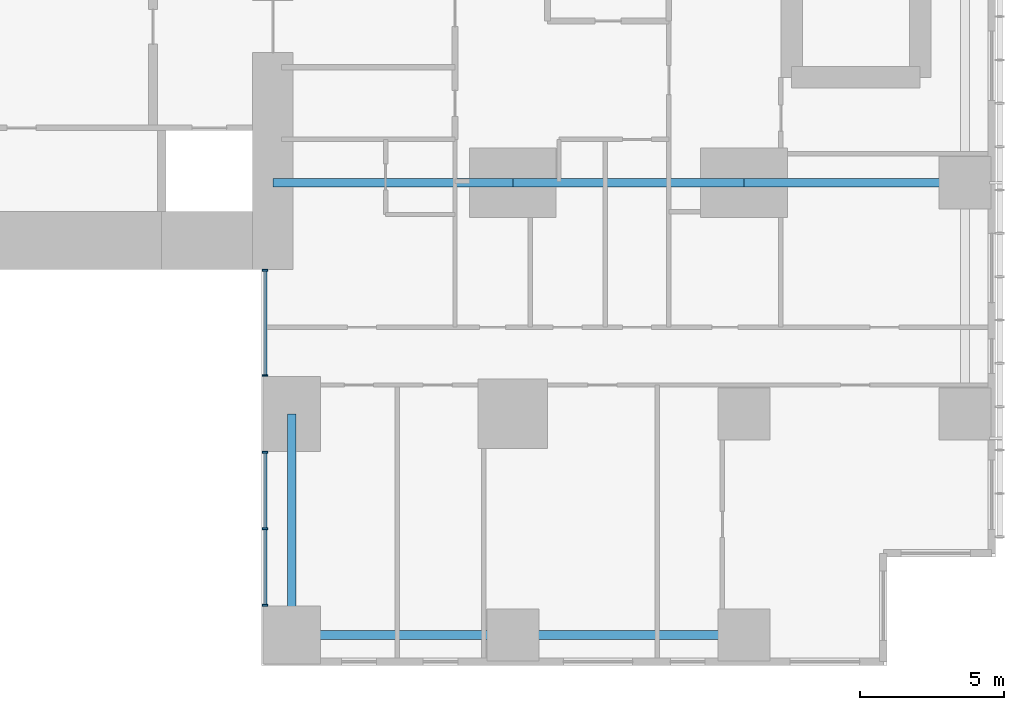
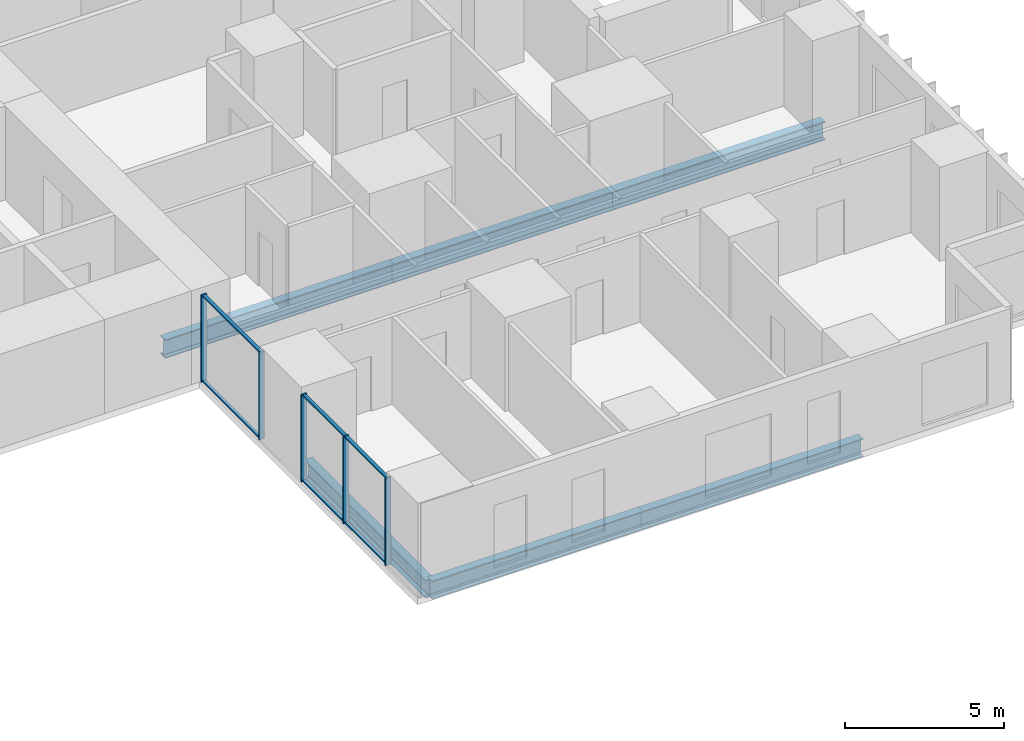
# One storey, part 3 of 20: 11 members, 6 beams, 2 elements without a shape of their own.
"""IFC4 building model written with IfcOpenShell, lengths in metres."""

import ifcopenshell
import ifcopenshell.guid

model = None  # the IFC model being written
_history = None  # IfcOwnerHistory: only IFC2X3 demands one
_inside = {}  # id of a spatial element -> (the spatial element, [elements in it])
_under = {}  # id of a project, library or spatial element -> (it, [spatial elements below it])
_declared = {}  # id of a project -> (the project, [libraries it declares])
_typed = {}  # id of a type object -> (the type object, [elements of that type])
_made_of = {}  # id of a material, layer set ... -> (it, [elements and type objects made of it])


def new_model(schema):
    """Start an empty IFC model of exactly this schema.

    Asked for "IFC4X3", IfcOpenShell would pick the latest addendum, in which some entities
    have other attributes; the version numbers below select the first issue.
    IFC2X3 requires an IfcOwnerHistory on every rooted entity: one is made here for all.
    """
    global model, _history
    if schema == "IFC4X3":
        model = ifcopenshell.file(schema_version=(4, 3, 0, 0))
    else:
        model = ifcopenshell.file(schema=schema)
    _inside.clear()
    _under.clear()
    _declared.clear()
    _typed.clear()
    _made_of.clear()
    _history = None
    if model.schema == "IFC2X3":
        org = make("IfcOrganization", Name="unknown")
        user = make(
            "IfcPersonAndOrganization",
            ThePerson=make("IfcPerson", FamilyName="unknown"),
            TheOrganization=org,
        )
        app = make(
            "IfcApplication",
            ApplicationDeveloper=org,
            Version="unknown",
            ApplicationFullName="unknown",
            ApplicationIdentifier="unknown",
        )
        _history = make(
            "IfcOwnerHistory",
            OwningUser=user,
            OwningApplication=app,
            ChangeAction="ADDED",
            CreationDate=0,
        )
    return model


def make(cls, **values):
    """One entity of the class cls with the attributes given. An attribute that is None is left unset."""
    return model.create_entity(
        cls, **{name: value for name, value in values.items() if value is not None}
    )


def rooted(cls, **values):
    """An entity with a GlobalId (a new one), such as an element, a storey or a relation."""
    return make(cls, GlobalId=ifcopenshell.guid.new(), OwnerHistory=_history, **values)


def si_unit(unit_type, name, prefix=None):
    """IfcSIUnit, for example si_unit("LENGTHUNIT", "METRE", prefix="MILLI")."""
    return make("IfcSIUnit", UnitType=unit_type, Prefix=prefix, Name=name)


def assignment(units):
    """IfcUnitAssignment: the units of a project."""
    return None if units is None else make("IfcUnitAssignment", Units=units)


def point(xyz):
    """IfcCartesianPoint."""
    return None if xyz is None else make("IfcCartesianPoint", Coordinates=xyz)


def direction(xyz):
    """IfcDirection."""
    return None if xyz is None else make("IfcDirection", DirectionRatios=xyz)


def frame(location, z_axis=None, x_axis=None):
    """IfcAxis2Placement3D, a coordinate frame: its origin and axes. An axis left out is left unset."""
    return make(
        "IfcAxis2Placement3D",
        Location=point(location),
        Axis=direction(z_axis),
        RefDirection=direction(x_axis),
    )


def frame_2d(location, x_axis=None):
    """IfcAxis2Placement2D, a coordinate frame in the plane: its origin and x axis."""
    return make(
        "IfcAxis2Placement2D", Location=point(location), RefDirection=direction(x_axis)
    )


def origin():
    """The frame at (0, 0, 0) with its axes left unset."""
    return frame((0.0, 0.0, 0.0))


def origin_2d():
    """The frame at (0, 0) in the plane with its x axis left unset."""
    return frame_2d((0.0, 0.0))


def place(relative_to, where):
    """IfcLocalPlacement: puts the frame where relative to a parent placement (None: the world)."""
    return make(
        "IfcLocalPlacement", PlacementRelTo=relative_to, RelativePlacement=where
    )


def context(
    kind, dimensions, precision=None, world=None, true_north=None, identifier=None
):
    """IfcGeometricRepresentationContext, for example the 3D "Model" context."""
    return make(
        "IfcGeometricRepresentationContext",
        ContextIdentifier=identifier,
        ContextType=kind,
        CoordinateSpaceDimension=dimensions,
        Precision=precision,
        WorldCoordinateSystem=world,
        TrueNorth=true_north,
    )


def subcontext(parent, identifier, kind, view, scale=None):
    """IfcGeometricRepresentationSubContext, for example "Body" below "Model"."""
    return make(
        "IfcGeometricRepresentationSubContext",
        ContextIdentifier=identifier,
        ContextType=kind,
        ParentContext=parent,
        TargetScale=scale,
        TargetView=view,
    )


def project(units=None, contexts=None):
    """IfcProject with its units and contexts."""
    return rooted(
        "IfcProject",
        Name="project",
        RepresentationContexts=contexts,
        UnitsInContext=assignment(units),
    )


def spatial(cls, under=None, at=None, **own):
    """A site, building, storey or space (cls), placed at a placement, below another one or the project."""
    s = rooted(cls, ObjectPlacement=at, **own)
    if under is not None:
        _under.setdefault(under.id(), (under, []))[1].append(s)
    return s


def profile(cls, at=None, kind="AREA", **sizes):
    """A parametric profile (cls). Its sizes go by their IFC names, for example OverallWidth=200.0."""
    return make(cls, ProfileType=kind, Position=at, **sizes)


def rectangle(**sizes):
    """IfcRectangleProfileDef."""
    return profile("IfcRectangleProfileDef", **sizes)


def i_section(**sizes):
    """IfcIShapeProfileDef."""
    return profile("IfcIShapeProfileDef", **sizes)


def extrude(swept, where, along, depth):
    """IfcExtrudedAreaSolid: the profile swept, set in the frame where, extruded along a direction by depth."""
    return make(
        "IfcExtrudedAreaSolid",
        SweptArea=swept,
        Position=where,
        ExtrudedDirection=direction(along),
        Depth=depth,
    )


def shape(context_of_items, identifier, shape_type, items):
    """IfcShapeRepresentation: the items that make up one representation, for example the "Body"."""
    return make(
        "IfcShapeRepresentation",
        ContextOfItems=context_of_items,
        RepresentationIdentifier=identifier,
        RepresentationType=shape_type,
        Items=items,
    )


def material(Name=None, Category=None):
    """IfcMaterial."""
    return make("IfcMaterial", Name=Name, Category=Category)


def layer(
    of_material, thickness, ventilated=None, Name=None, Category=None, Priority=None
):
    """IfcMaterialLayer: one layer of a wall or slab, of a material (None: an air gap)."""
    return make(
        "IfcMaterialLayer",
        Material=of_material,
        LayerThickness=thickness,
        IsVentilated=ventilated,
        Name=Name,
        Category=Category,
        Priority=Priority,
    )


def layer_set(layers, Name=None):
    """IfcMaterialLayerSet."""
    return make("IfcMaterialLayerSet", MaterialLayers=layers, LayerSetName=Name)


def material_profile(
    of_material, cross_section, Name=None, Category=None, Priority=None
):
    """IfcMaterialProfile: a cross section and its material."""
    return make(
        "IfcMaterialProfile",
        Name=Name,
        Material=of_material,
        Profile=cross_section,
        Priority=Priority,
        Category=Category,
    )


def profile_set(profiles, Name=None, composite=None):
    """IfcMaterialProfileSet."""
    return make(
        "IfcMaterialProfileSet",
        Name=Name,
        MaterialProfiles=profiles,
        CompositeProfile=composite,
    )


def made_of(thing, what):
    """Note that an element or type object is made of a material, layer set ...; save() writes the relation."""
    if what is not None:
        _made_of.setdefault(what.id(), (what, []))[1].append(thing)
    return thing


def type_object(cls, material=None, **own):
    """A type object (cls), such as IfcWallType, which elements share."""
    return made_of(rooted(cls, **own), material)


def element(
    cls,
    number,
    at=None,
    inside=None,
    cuts=None,
    type_object=None,
    material=None,
    context=None,
    identifier="Body",
    shape_type=None,
    held_by="IfcProductDefinitionShape",
    body=None,
    shapes=None,
    **own,
):
    """One element of the class cls, such as IfcWall. Its Tag is "e" and its number.

    at: its placement. inside: the storey or other place that contains it. cuts: it is an
    opening in that element (IfcRelVoidsElement). A single representation is given by context,
    identifier, shape_type and body (its items); several are given by shapes. held_by: the class
    of the entity that holds the representations. save() writes the other relations.
    """
    e = rooted(cls, Tag="e%d" % number, ObjectPlacement=at, **own)
    if body is not None:
        shapes = [shape(context, identifier, shape_type, body)]
    if shapes is not None:
        e.Representation = make(held_by, Representations=shapes)
    if inside is not None:
        _inside.setdefault(inside.id(), (inside, []))[1].append(e)
    if cuts is not None:
        rooted(
            "IfcRelVoidsElement", RelatingBuildingElement=cuts, RelatedOpeningElement=e
        )
    if type_object is not None:
        _typed.setdefault(type_object.id(), (type_object, []))[1].append(e)
    return made_of(e, material)


def aggregate(whole, parts):
    """IfcRelAggregates: a whole, such as a stair, and the parts it consists of."""
    return rooted("IfcRelAggregates", RelatingObject=whole, RelatedObjects=parts)


def save(model, path):
    """Write the relations noted so far, then the file.

    IfcRelAggregates (storeys below a building ...), IfcRelContainedInSpatialStructure (elements
    in a storey), IfcRelDefinesByType, IfcRelAssociatesMaterial and IfcRelDeclares: one each for
    every whole, place, type object, material and project.
    """
    for whole, parts in _under.values():
        aggregate(whole, parts)
    for where, things in _inside.values():
        rooted(
            "IfcRelContainedInSpatialStructure",
            RelatedElements=things,
            RelatingStructure=where,
        )
    for kind, things in _typed.values():
        rooted("IfcRelDefinesByType", RelatedObjects=things, RelatingType=kind)
    for what, things in _made_of.values():
        rooted("IfcRelAssociatesMaterial", RelatedObjects=things, RelatingMaterial=what)
    for by, libraries in _declared.values():
        rooted("IfcRelDeclares", RelatingContext=by, RelatedDefinitions=libraries)
    model.write(path)


model = new_model("IFC4")

# Units and contexts
model_context = context("Model", 3, precision=1e-05, world=origin(), true_north=direction((0.0, 1.0)))
body_context = subcontext(model_context, "Body", "Model", "MODEL_VIEW")
ifc_project = project(units=[si_unit("LENGTHUNIT", "METRE"), si_unit("AREAUNIT", "SQUARE_METRE"), si_unit("VOLUMEUNIT", "CUBIC_METRE"), si_unit("PLANEANGLEUNIT", "RADIAN"), si_unit("MASSUNIT", "GRAM", prefix="KILO")], contexts=[model_context])

# Site, building, storey
site_placement = place(None, origin())
site = spatial("IfcSite", under=ifc_project, at=site_placement, CompositionType="ELEMENT")
building_placement = place(site_placement, origin())
building = spatial("IfcBuilding", under=site, at=building_placement, Name="Cleftline Residences", CompositionType="ELEMENT")
storey_placement = place(building_placement, frame((0.0, 0.0, 214.60009765625)))
storey = spatial("IfcBuildingStorey", under=building, at=storey_placement, Name="L56", CompositionType="ELEMENT", Elevation=214.60009765625)

# Beams
ifc_material_1 = material(Name="Steel S355", Category="steel")
ifc_material_profile_1 = material_profile(ifc_material_1, i_section(OverallWidth=0.300048828125, OverallDepth=0.699951171875, WebThickness=0.01708984375, FlangeThickness=0.031982421875, FilletRadius=0.027099609375, at=origin_2d()))
ifc_profile_set_1 = profile_set([ifc_material_profile_1], Name="Steel S355")
beam_type_1 = type_object("IfcBeamType", Name="BEAM HEB 700", PredefinedType="BEAM", material=ifc_profile_set_1)
beam_1_placement = place(storey_placement, frame((58.0, 0.35009765625, -0.60009765625), z_axis=(-1.0, 0.0, 0.0), x_axis=(0.0, -1.0, 0.0)))
element("IfcBeam", 1, at=beam_1_placement, inside=storey, type_object=beam_type_1, Name="Edge beam", PredefinedType="BEAM", context=body_context, shape_type="SweptSolid", body=[
    extrude(i_section(OverallWidth=0.300048828125, OverallDepth=0.699951171875, WebThickness=0.01708984375, FlangeThickness=0.031982421875, FilletRadius=0.027099609375, at=origin_2d()), origin(), (0.0, 0.0, 1.0), 8.0),
])
for number, where, z_axis, x_axis, name in (
    (2, (50.0, 0.35009765625, -0.60009765625), (-1.0, 0.0, 0.0), (0.0, -1.0, 0.0), "Edge beam"),
    (3, (42.35009765625, 0.35009765625, -0.60009765625), (0.0, 1.0, 0.0), (-1.0, 0.0, 0.0), "Edge beam"),
):
    element("IfcBeam", number, at=place(storey_placement, frame(where, z_axis=z_axis, x_axis=x_axis)), inside=storey, type_object=beam_type_1, Name=name, PredefinedType="BEAM", context=body_context, shape_type="SweptSolid", body=[
        extrude(i_section(OverallWidth=0.300048828125, OverallDepth=0.699951171875, WebThickness=0.01708984375, FlangeThickness=0.031982421875, FilletRadius=0.027099609375, at=origin_2d()), origin(), (0.0, 0.0, 1.0), 7.64990234375),
    ])
ifc_material_2 = material(Name="Steel S355", Category="steel")
ifc_material_profile_2 = material_profile(ifc_material_2, i_section(OverallWidth=0.303955078125, OverallDepth=0.716064453125, WebThickness=0.02099609375, FlangeThickness=0.0400390625, FilletRadius=0.027099609375, at=origin_2d()))
ifc_profile_set_2 = profile_set([ifc_material_profile_2], Name="Steel S355")
beam_type_2 = type_object("IfcBeamType", Name="BEAM HEM 700", PredefinedType="BEAM", material=ifc_profile_set_2)
beam_2_placement = place(storey_placement, frame((65.64990234375, 16.0, -0.608154296875), z_axis=(-1.0, 0.0, 0.0), x_axis=(0.0, -1.0, 0.0)))
element("IfcBeam", 4, at=beam_2_placement, inside=storey, type_object=beam_type_2, Name="Band beam", PredefinedType="BEAM", context=body_context, shape_type="SweptSolid", body=[
    extrude(i_section(OverallWidth=0.303955078125, OverallDepth=0.716064453125, WebThickness=0.02099609375, FlangeThickness=0.0400390625, FilletRadius=0.027099609375, at=origin_2d()), origin(), (0.0, 0.0, 1.0), 7.64990234375),
])
beam_3_placement = place(storey_placement, frame((58.0, 16.0, -0.608154296875), z_axis=(-1.0, 0.0, 0.0), x_axis=(0.0, -1.0, 0.0)))
element("IfcBeam", 5, at=beam_3_placement, inside=storey, type_object=beam_type_2, Name="Band beam", PredefinedType="BEAM", context=body_context, shape_type="SweptSolid", body=[
    extrude(i_section(OverallWidth=0.303955078125, OverallDepth=0.716064453125, WebThickness=0.02099609375, FlangeThickness=0.0400390625, FilletRadius=0.027099609375, at=origin_2d()), origin(), (0.0, 0.0, 1.0), 8.0),
])
beam_4_placement = place(storey_placement, frame((50.0, 16.0, -0.608154296875), z_axis=(-1.0, 0.0, 0.0), x_axis=(0.0, -1.0, 0.0)))
element("IfcBeam", 6, at=beam_4_placement, inside=storey, type_object=beam_type_2, Name="Band beam", PredefinedType="BEAM", context=body_context, shape_type="SweptSolid", body=[
    extrude(i_section(OverallWidth=0.303955078125, OverallDepth=0.716064453125, WebThickness=0.02099609375, FlangeThickness=0.0400390625, FilletRadius=0.027099609375, at=origin_2d()), origin(), (0.0, 0.0, 1.0), 8.300048828125),
])

# Curtain wall, members
ifc_material_3 = material(Name="Aluminium framed curtain wall", Category="aluminium")
ifc_layer = layer(ifc_material_3, 0.199951171875)
ifc_layer_set = layer_set([ifc_layer], Name="CW1 CLEFT GLAZING")
curtain_wall_type = type_object("IfcCurtainWallType", Name="CW1 CLEFT GLAZING", PredefinedType="NOTDEFINED", material=ifc_layer_set)
curtain_wall_1_placement = place(storey_placement, origin())
curtain_wall_1 = element("IfcCurtainWall", 7, at=curtain_wall_1_placement, inside=storey, type_object=curtain_wall_type, Name="Curtain wall CW1", PredefinedType="NOTDEFINED")
ifc_material_4 = material(Name="Aluminium mullion", Category="aluminium")
ifc_material_profile_3 = material_profile(ifc_material_4, rectangle(XDim=0.199951171875, YDim=0.06005859375, at=origin_2d()))
ifc_profile_set_3 = profile_set([ifc_material_profile_3], Name="Aluminium mullion")
member_type_1 = type_object("IfcMemberType", Name="CW1 MULLION", PredefinedType="MULLION", material=ifc_profile_set_3)
member_1_placement = place(storey_placement, frame((41.425048828125, 12.969970703125, 0.0), z_axis=(0.0, 0.0, 1.0), x_axis=(1.0, 0.0, 0.0)))
member_1 = element("IfcMember", 8, at=member_1_placement, type_object=member_type_1, Name="CW1 mullion 1", PredefinedType="MULLION", context=body_context, shape_type="SweptSolid", body=[
    extrude(rectangle(XDim=0.199951171875, YDim=0.06005859375, at=origin_2d()), origin(), (0.0, 0.0, 1.0), 3.349853515625),
])
member_2_placement = place(storey_placement, frame((41.425048828125, 9.330078125, 0.0), z_axis=(0.0, 0.0, 1.0), x_axis=(1.0, 0.0, 0.0)))
member_2 = element("IfcMember", 9, at=member_2_placement, type_object=member_type_1, Name="CW1 mullion 2", PredefinedType="MULLION", context=body_context, shape_type="SweptSolid", body=[
    extrude(rectangle(XDim=0.199951171875, YDim=0.06005859375, at=origin_2d()), origin(), (0.0, 0.0, 1.0), 3.349853515625),
])

curtain_wall_2_placement = place(storey_placement, origin())
curtain_wall_2 = element("IfcCurtainWall", 10, at=curtain_wall_2_placement, inside=storey, type_object=curtain_wall_type, Name="Curtain wall CW1", PredefinedType="NOTDEFINED")
member_3_placement = place(storey_placement, frame((41.425048828125, 6.669921875, 0.0), z_axis=(0.0, 0.0, 1.0), x_axis=(1.0, 0.0, 0.0)))
member_3 = element("IfcMember", 11, at=member_3_placement, type_object=member_type_1, Name="CW1 mullion 1", PredefinedType="MULLION", context=body_context, shape_type="SweptSolid", body=[
    extrude(rectangle(XDim=0.199951171875, YDim=0.06005859375, at=origin_2d()), origin(), (0.0, 0.0, 1.0), 3.349853515625),
])
member_4_placement = place(storey_placement, frame((41.425048828125, 4.02490234375, 0.0), z_axis=(0.0, 0.0, 1.0), x_axis=(1.0, 0.0, 0.0)))
member_4 = element("IfcMember", 12, at=member_4_placement, type_object=member_type_1, Name="CW1 mullion 2", PredefinedType="MULLION", context=body_context, shape_type="SweptSolid", body=[
    extrude(rectangle(XDim=0.199951171875, YDim=0.06005859375, at=origin_2d()), origin(), (0.0, 0.0, 1.0), 3.349853515625),
])
member_5_placement = place(storey_placement, frame((41.425048828125, 1.3798828125, 0.0), z_axis=(0.0, 0.0, 1.0), x_axis=(1.0, 0.0, 0.0)))
member_5 = element("IfcMember", 13, at=member_5_placement, type_object=member_type_1, Name="CW1 mullion 3", PredefinedType="MULLION", context=body_context, shape_type="SweptSolid", body=[
    extrude(rectangle(XDim=0.199951171875, YDim=0.06005859375, at=origin_2d()), origin(), (0.0, 0.0, 1.0), 3.349853515625),
])

# Member
ifc_material_5 = material(Name="Aluminium transom", Category="aluminium")
ifc_material_profile_4 = material_profile(ifc_material_5, rectangle(XDim=0.1201171875, YDim=0.06005859375, at=origin_2d()))
ifc_profile_set_4 = profile_set([ifc_material_profile_4], Name="Aluminium transom")
member_type_2 = type_object("IfcMemberType", Name="CW1 TRANSOM", PredefinedType="USERDEFINED", material=ifc_profile_set_4)
member_6_placement = place(storey_placement, frame((41.425048828125, 12.93994140625, 0.02978515625), z_axis=(0.0, -1.0, 0.0), x_axis=(1.0, 0.0, 0.0)))
member_6 = element("IfcMember", 14, at=member_6_placement, type_object=member_type_2, Name="CW1 transom 1.1", ObjectType="TRANSOM", PredefinedType="USERDEFINED", context=body_context, shape_type="SweptSolid", body=[
    extrude(rectangle(XDim=0.1201171875, YDim=0.06005859375, at=origin_2d()), origin(), (0.0, 0.0, 1.0), 3.579833984375),
])

member_7_placement = place(storey_placement, frame((41.425048828125, 12.93994140625, 3.31982421875), z_axis=(0.0, -1.0, 0.0), x_axis=(1.0, 0.0, 0.0)))
member_7 = element("IfcMember", 15, at=member_7_placement, type_object=member_type_2, Name="CW1 transom 1.2", ObjectType="TRANSOM", PredefinedType="USERDEFINED", context=body_context, shape_type="SweptSolid", body=[
    extrude(rectangle(XDim=0.1201171875, YDim=0.06005859375, at=origin_2d()), origin(), (0.0, 0.0, 1.0), 3.579833984375),
])

aggregate(curtain_wall_1, [member_1, member_2, member_6, member_7])

member_8_placement = place(storey_placement, frame((41.425048828125, 6.639892578125, 0.02978515625), z_axis=(0.0, -1.0, 0.0), x_axis=(1.0, 0.0, 0.0)))
member_8 = element("IfcMember", 16, at=member_8_placement, type_object=member_type_2, Name="CW1 transom 1.1", ObjectType="TRANSOM", PredefinedType="USERDEFINED", context=body_context, shape_type="SweptSolid", body=[
    extrude(rectangle(XDim=0.1201171875, YDim=0.06005859375, at=origin_2d()), origin(), (0.0, 0.0, 1.0), 2.5849609375),
])

member_9_placement = place(storey_placement, frame((41.425048828125, 6.639892578125, 3.31982421875), z_axis=(0.0, -1.0, 0.0), x_axis=(1.0, 0.0, 0.0)))
member_9 = element("IfcMember", 17, at=member_9_placement, type_object=member_type_2, Name="CW1 transom 1.2", ObjectType="TRANSOM", PredefinedType="USERDEFINED", context=body_context, shape_type="SweptSolid", body=[
    extrude(rectangle(XDim=0.1201171875, YDim=0.06005859375, at=origin_2d()), origin(), (0.0, 0.0, 1.0), 2.5849609375),
])

member_10_placement = place(storey_placement, frame((41.425048828125, 3.9951171875, 0.02978515625), z_axis=(0.0, -1.0, 0.0), x_axis=(1.0, 0.0, 0.0)))
member_10 = element("IfcMember", 18, at=member_10_placement, type_object=member_type_2, Name="CW1 transom 2.1", ObjectType="TRANSOM", PredefinedType="USERDEFINED", context=body_context, shape_type="SweptSolid", body=[
    extrude(rectangle(XDim=0.1201171875, YDim=0.06005859375, at=origin_2d()), origin(), (0.0, 0.0, 1.0), 2.585205078125),
])

member_11_placement = place(storey_placement, frame((41.425048828125, 3.9951171875, 3.31982421875), z_axis=(0.0, -1.0, 0.0), x_axis=(1.0, 0.0, 0.0)))
member_11 = element("IfcMember", 19, at=member_11_placement, type_object=member_type_2, Name="CW1 transom 2.2", ObjectType="TRANSOM", PredefinedType="USERDEFINED", context=body_context, shape_type="SweptSolid", body=[
    extrude(rectangle(XDim=0.1201171875, YDim=0.06005859375, at=origin_2d()), origin(), (0.0, 0.0, 1.0), 2.585205078125),
])

aggregate(curtain_wall_2, [member_3, member_4, member_5, member_8, member_9, member_10, member_11])

save(model, "model.ifc")
